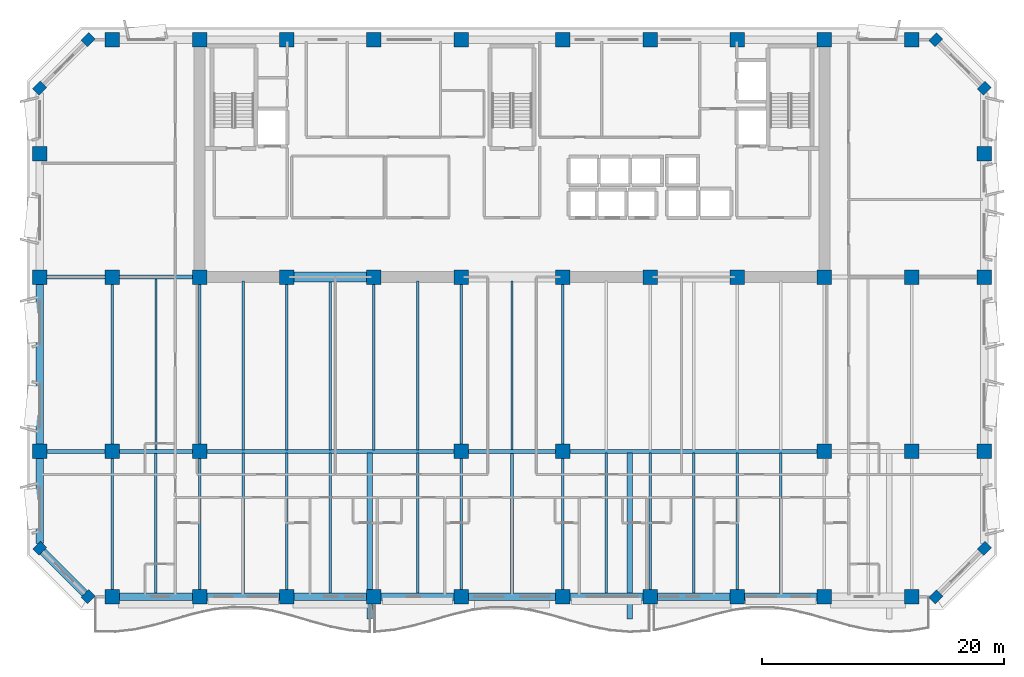
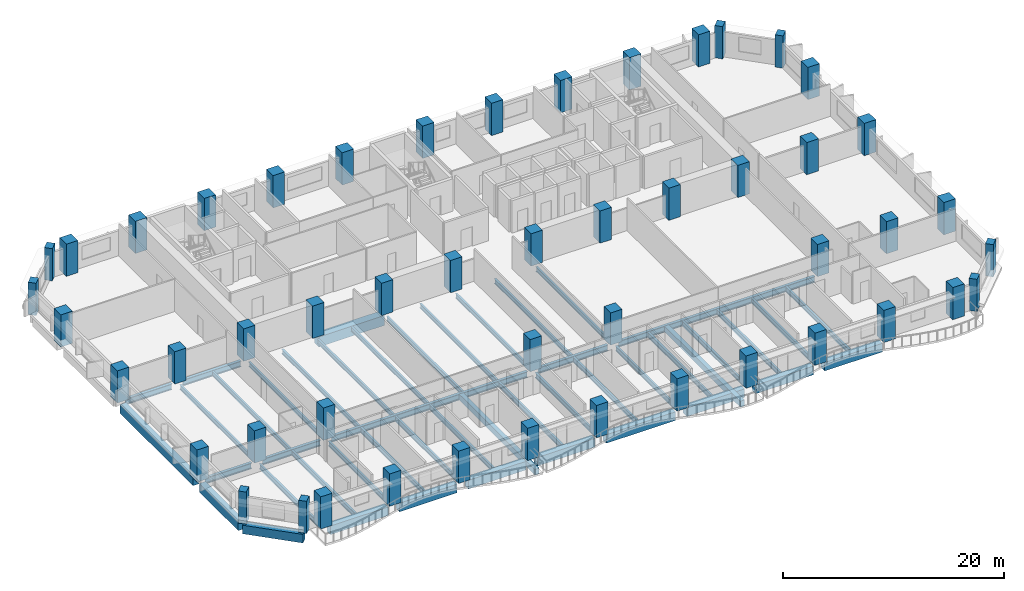
# One storey, part 1 of 15: 50 columns, 47 beams.
"""IFC4 building model written with IfcOpenShell, lengths in metres."""

from ifc_helpers import new_model, si_unit, direction, frame, origin, origin_2d, place, context, subcontext, project, spatial, rectangle, i_section, extrude, material, material_profile, profile_set, type_object, element, save


model = new_model("IFC4")

# Units and contexts
model_context = context("Model", 3, precision=1e-05, world=origin(), true_north=direction((0.0, 1.0)))
body_context = subcontext(model_context, "Body", "Model", "MODEL_VIEW")
ifc_project = project(units=[si_unit("LENGTHUNIT", "METRE"), si_unit("AREAUNIT", "SQUARE_METRE"), si_unit("VOLUMEUNIT", "CUBIC_METRE"), si_unit("PLANEANGLEUNIT", "RADIAN"), si_unit("MASSUNIT", "GRAM", prefix="KILO")], contexts=[model_context])

# Site, building, storey
site_placement = place(None, origin())
site = spatial("IfcSite", under=ifc_project, at=site_placement, CompositionType="ELEMENT")
building_placement = place(site_placement, origin())
building = spatial("IfcBuilding", under=site, at=building_placement, Name="Kaelvorn Grand Hotel", CompositionType="ELEMENT")
storey_placement = place(building_placement, frame((0.0, 0.0, 139.14990234375)))
storey = spatial("IfcBuildingStorey", under=building, at=storey_placement, Name="L33", CompositionType="ELEMENT", Elevation=139.14990234375)

# Columns
ifc_material_1 = material(Name="Concrete C60/75", Category="concrete")
ifc_material_profile_1 = material_profile(ifc_material_1, rectangle(XDim=0.89990234375, YDim=0.75, at=origin_2d()), Name="RC PILASTER 900x750")
ifc_profile_set_1 = profile_set([ifc_material_profile_1], Name="Concrete C60/75")
column_type_1 = type_object("IfcColumnType", Name="COL-PIL-900x750-C60", PredefinedType="PILASTER", material=ifc_profile_set_1)
for number, where, z_axis, x_axis, name in (
    (1, (7.0, 3.0, 0.0), (0.0, 0.0, 1.0), (0.707106781187, 0.707106781187, 0.0), "L33 Structural Column CH-01"),
    (2, (77.0, 3.0, 0.0), (0.0, 0.0, 1.0), (0.707106781187, 0.707106781187, 0.0), "L33 Structural Column CH-02"),
    (3, (81.0, 7.0, 0.0), (0.0, 0.0, 1.0), (0.707106781187, 0.707106781187, 0.0), "L33 Structural Column CH-03"),
    (4, (81.0, 45.0, 0.0), (0.0, 0.0, 1.0), (0.707106781187, 0.707106781187, 0.0), "L33 Structural Column CH-04"),
    (5, (77.0, 49.0, 0.0), (0.0, 0.0, 1.0), (0.707106781187, 0.707106781187, 0.0), "L33 Structural Column CH-05"),
    (6, (7.0, 49.0, 0.0), (0.0, 0.0, 1.0), (0.707106781187, 0.707106781187, 0.0), "L33 Structural Column CH-06"),
    (7, (3.0, 45.0, 0.0), (0.0, 0.0, 1.0), (0.707106781187, 0.707106781187, 0.0), "L33 Structural Column CH-07"),
    (8, (3.0, 7.0, 0.0), (0.0, 0.0, 1.0), (0.707106781187, 0.707106781187, 0.0), "L33 Structural Column CH-08"),
):
    element("IfcColumn", number, at=place(storey_placement, frame(where, z_axis=z_axis, x_axis=x_axis)), inside=storey, type_object=column_type_1, Name=name, PredefinedType="PILASTER", context=body_context, shape_type="SweptSolid", body=[
        extrude(rectangle(XDim=0.89990234375, YDim=0.75, at=origin_2d()), origin(), (0.0, 0.0, 1.0), 3.56005859375),
    ])
ifc_material_profile_2 = material_profile(ifc_material_1, rectangle(XDim=1.199951171875, YDim=1.199951171875, at=origin_2d()), Name="RC COL 1200x1200")
ifc_profile_set_2 = profile_set([ifc_material_profile_2], Name="Concrete C60/75")
column_type_2 = type_object("IfcColumnType", Name="COL-RC-1200-C60", PredefinedType="COLUMN", material=ifc_profile_set_2)
for number, where, z_axis, x_axis, name in (
    (9, (9.0, 3.0, 0.0), (0.0, 0.0, 1.0), (1.0, 0.0, 0.0), "L33 Structural Column S-01"),
    (10, (16.199951171875, 3.0, 0.0), (0.0, 0.0, 1.0), (1.0, 0.0, 0.0), "L33 Structural Column S-02"),
    (11, (23.39990234375, 3.0, 0.0), (0.0, 0.0, 1.0), (1.0, 0.0, 0.0), "L33 Structural Column S-03"),
    (12, (30.60009765625, 3.0, 0.0), (0.0, 0.0, 1.0), (1.0, 0.0, 0.0), "L33 Structural Column S-04"),
    (13, (37.800048828125, 3.0, 0.0), (0.0, 0.0, 1.0), (1.0, 0.0, 0.0), "L33 Structural Column S-05"),
    (14, (46.199951171875, 3.0, 0.0), (0.0, 0.0, 1.0), (1.0, 0.0, 0.0), "L33 Structural Column S-06"),
    (15, (53.39990234375, 3.0, 0.0), (0.0, 0.0, 1.0), (1.0, 0.0, 0.0), "L33 Structural Column S-07"),
    (16, (60.60009765625, 3.0, 0.0), (0.0, 0.0, 1.0), (1.0, 0.0, 0.0), "L33 Structural Column S-08"),
    (17, (67.800048828125, 3.0, 0.0), (0.0, 0.0, 1.0), (1.0, 0.0, 0.0), "L33 Structural Column S-09"),
    (18, (75.0, 3.0, 0.0), (0.0, 0.0, 1.0), (1.0, 0.0, 0.0), "L33 Structural Column S-10"),
    (19, (3.0, 15.0, 0.0), (0.0, 0.0, 1.0), (1.0, 0.0, 0.0), "L33 Structural Column W-01"),
    (20, (81.0, 15.0, 0.0), (0.0, 0.0, 1.0), (1.0, 0.0, 0.0), "L33 Structural Column E-01"),
    (21, (3.0, 29.39990234375, 0.0), (0.0, 0.0, 1.0), (1.0, 0.0, 0.0), "L33 Structural Column W-02"),
    (22, (81.0, 29.39990234375, 0.0), (0.0, 0.0, 1.0), (1.0, 0.0, 0.0), "L33 Structural Column E-02"),
    (23, (3.0, 39.60009765625, 0.0), (0.0, 0.0, 1.0), (1.0, 0.0, 0.0), "L33 Structural Column W-03"),
    (24, (81.0, 39.60009765625, 0.0), (0.0, 0.0, 1.0), (1.0, 0.0, 0.0), "L33 Structural Column E-03"),
    (25, (9.0, 15.0, 0.0), (0.0, 0.0, 1.0), (1.0, 0.0, 0.0), "L33 Structural Column M-01"),
    (26, (16.199951171875, 15.0, 0.0), (0.0, 0.0, 1.0), (1.0, 0.0, 0.0), "L33 Structural Column M-02"),
    (27, (37.800048828125, 15.0, 0.0), (0.0, 0.0, 1.0), (1.0, 0.0, 0.0), "L33 Structural Column M-03"),
    (28, (46.199951171875, 15.0, 0.0), (0.0, 0.0, 1.0), (1.0, 0.0, 0.0), "L33 Structural Column M-04"),
    (29, (67.800048828125, 15.0, 0.0), (0.0, 0.0, 1.0), (1.0, 0.0, 0.0), "L33 Structural Column M-05"),
    (30, (75.0, 15.0, 0.0), (0.0, 0.0, 1.0), (1.0, 0.0, 0.0), "L33 Structural Column M-06"),
    (31, (9.0, 29.39990234375, 0.0), (0.0, 0.0, 1.0), (1.0, 0.0, 0.0), "L33 Structural Column CR1-01"),
    (32, (9.0, 49.0, 0.0), (0.0, 0.0, 1.0), (1.0, 0.0, 0.0), "L33 Structural Column CR2-01"),
    (33, (16.199951171875, 29.39990234375, 0.0), (0.0, 0.0, 1.0), (1.0, 0.0, 0.0), "L33 Structural Column CR1-02"),
    (34, (16.199951171875, 49.0, 0.0), (0.0, 0.0, 1.0), (1.0, 0.0, 0.0), "L33 Structural Column CR2-02"),
    (35, (23.39990234375, 29.39990234375, 0.0), (0.0, 0.0, 1.0), (1.0, 0.0, 0.0), "L33 Structural Column CR1-03"),
    (36, (23.39990234375, 49.0, 0.0), (0.0, 0.0, 1.0), (1.0, 0.0, 0.0), "L33 Structural Column CR2-03"),
    (37, (30.60009765625, 29.39990234375, 0.0), (0.0, 0.0, 1.0), (1.0, 0.0, 0.0), "L33 Structural Column CR1-04"),
    (38, (30.60009765625, 49.0, 0.0), (0.0, 0.0, 1.0), (1.0, 0.0, 0.0), "L33 Structural Column CR2-04"),
    (39, (37.800048828125, 29.39990234375, 0.0), (0.0, 0.0, 1.0), (1.0, 0.0, 0.0), "L33 Structural Column CR1-05"),
    (40, (37.800048828125, 49.0, 0.0), (0.0, 0.0, 1.0), (1.0, 0.0, 0.0), "L33 Structural Column CR2-05"),
    (41, (46.199951171875, 29.39990234375, 0.0), (0.0, 0.0, 1.0), (1.0, 0.0, 0.0), "L33 Structural Column CR1-06"),
    (42, (46.199951171875, 49.0, 0.0), (0.0, 0.0, 1.0), (1.0, 0.0, 0.0), "L33 Structural Column CR2-06"),
    (43, (53.39990234375, 29.39990234375, 0.0), (0.0, 0.0, 1.0), (1.0, 0.0, 0.0), "L33 Structural Column CR1-07"),
    (44, (53.39990234375, 49.0, 0.0), (0.0, 0.0, 1.0), (1.0, 0.0, 0.0), "L33 Structural Column CR2-07"),
    (45, (60.60009765625, 29.39990234375, 0.0), (0.0, 0.0, 1.0), (1.0, 0.0, 0.0), "L33 Structural Column CR1-08"),
    (46, (60.60009765625, 49.0, 0.0), (0.0, 0.0, 1.0), (1.0, 0.0, 0.0), "L33 Structural Column CR2-08"),
    (47, (67.800048828125, 29.39990234375, 0.0), (0.0, 0.0, 1.0), (1.0, 0.0, 0.0), "L33 Structural Column CR1-09"),
    (48, (67.800048828125, 49.0, 0.0), (0.0, 0.0, 1.0), (1.0, 0.0, 0.0), "L33 Structural Column CR2-09"),
    (49, (75.0, 29.39990234375, 0.0), (0.0, 0.0, 1.0), (1.0, 0.0, 0.0), "L33 Structural Column CR1-10"),
    (50, (75.0, 49.0, 0.0), (0.0, 0.0, 1.0), (1.0, 0.0, 0.0), "L33 Structural Column CR2-10"),
):
    element("IfcColumn", number, at=place(storey_placement, frame(where, z_axis=z_axis, x_axis=x_axis)), inside=storey, type_object=column_type_2, Name=name, PredefinedType="COLUMN", context=body_context, shape_type="SweptSolid", body=[
        extrude(rectangle(XDim=1.199951171875, YDim=1.199951171875, at=origin_2d()), origin(), (0.0, 0.0, 1.0), 3.56005859375),
    ])

# Beams
ifc_material_2 = material(Name="Steel S355", Category="steel")
ifc_material_profile_3 = material_profile(ifc_material_2, i_section(OverallWidth=0.300048828125, OverallDepth=0.64990234375, WebThickness=0.01611328125, FlangeThickness=0.031005859375, FilletRadius=0.027099609375, at=origin_2d()), Name="HEB 650")
ifc_profile_set_3 = profile_set([ifc_material_profile_3], Name="Steel S355")
beam_type_1 = type_object("IfcBeamType", Name="BM-G-HEB650-S355", PredefinedType="BEAM", material=ifc_profile_set_3)
beam_1_placement = place(storey_placement, frame((3.5849609375, 15.0, -0.56494140625), z_axis=(1.0, 0.0, 0.0), x_axis=(0.0, 1.0, 0.0)))
element("IfcBeam", 51, at=beam_1_placement, inside=storey, type_object=beam_type_1, Name="L33 Primary Spine Steel Girder G-15 01", PredefinedType="BEAM", context=body_context, shape_type="SweptSolid", body=[
    extrude(i_section(OverallWidth=0.300048828125, OverallDepth=0.64990234375, WebThickness=0.01611328125, FlangeThickness=0.031005859375, FilletRadius=0.027099609375, at=origin_2d()), origin(), (0.0, 0.0, 1.0), 4.830078125),
])
beam_2_placement = place(storey_placement, frame((9.5849609375, 15.0, -0.56494140625), z_axis=(1.0, 0.0, 0.0), x_axis=(0.0, 1.0, 0.0)))
element("IfcBeam", 52, at=beam_2_placement, inside=storey, type_object=beam_type_1, Name="L33 Primary Spine Steel Girder G-15 02", PredefinedType="BEAM", context=body_context, shape_type="SweptSolid", body=[
    extrude(i_section(OverallWidth=0.300048828125, OverallDepth=0.64990234375, WebThickness=0.01611328125, FlangeThickness=0.031005859375, FilletRadius=0.027099609375, at=origin_2d()), origin(), (0.0, 0.0, 1.0), 6.030029296875),
])
beam_3_placement = place(storey_placement, frame((16.784912109375, 15.0, -0.56494140625), z_axis=(1.0, 0.0, 0.0), x_axis=(0.0, 1.0, 0.0)))
element("IfcBeam", 53, at=beam_3_placement, inside=storey, type_object=beam_type_1, Name="L33 Primary Spine Steel Girder G-15 03", PredefinedType="BEAM", context=body_context, shape_type="SweptSolid", body=[
    extrude(i_section(OverallWidth=0.300048828125, OverallDepth=0.64990234375, WebThickness=0.01611328125, FlangeThickness=0.031005859375, FilletRadius=0.027099609375, at=origin_2d()), origin(), (0.0, 0.0, 1.0), 20.43017578125),
])
beam_4_placement = place(storey_placement, frame((38.385009765625, 15.0, -0.56494140625), z_axis=(1.0, 0.0, 0.0), x_axis=(0.0, 1.0, 0.0)))
element("IfcBeam", 54, at=beam_4_placement, inside=storey, type_object=beam_type_1, Name="L33 Primary Spine Steel Girder G-15 04", PredefinedType="BEAM", context=body_context, shape_type="SweptSolid", body=[
    extrude(i_section(OverallWidth=0.300048828125, OverallDepth=0.64990234375, WebThickness=0.01611328125, FlangeThickness=0.031005859375, FilletRadius=0.027099609375, at=origin_2d()), origin(), (0.0, 0.0, 1.0), 7.22998046875),
])
beam_5_placement = place(storey_placement, frame((46.784912109375, 15.0, -0.56494140625), z_axis=(1.0, 0.0, 0.0), x_axis=(0.0, 1.0, 0.0)))
element("IfcBeam", 55, at=beam_5_placement, inside=storey, type_object=beam_type_1, Name="L33 Primary Spine Steel Girder G-15 05", PredefinedType="BEAM", context=body_context, shape_type="SweptSolid", body=[
    extrude(i_section(OverallWidth=0.300048828125, OverallDepth=0.64990234375, WebThickness=0.01611328125, FlangeThickness=0.031005859375, FilletRadius=0.027099609375, at=origin_2d()), origin(), (0.0, 0.0, 1.0), 20.43017578125),
])
beam_6_placement = place(storey_placement, frame((3.5849609375, 29.39990234375, -0.56494140625), z_axis=(1.0, 0.0, 0.0), x_axis=(0.0, 1.0, 0.0)))
element("IfcBeam", 56, at=beam_6_placement, inside=storey, type_object=beam_type_1, Name="L33 West Core Wing Steel Girder G-29W 01", PredefinedType="BEAM", context=body_context, shape_type="SweptSolid", body=[
    extrude(i_section(OverallWidth=0.300048828125, OverallDepth=0.64990234375, WebThickness=0.01611328125, FlangeThickness=0.031005859375, FilletRadius=0.027099609375, at=origin_2d()), origin(), (0.0, 0.0, 1.0), 4.830078125),
])
beam_7_placement = place(storey_placement, frame((9.5849609375, 29.39990234375, -0.56494140625), z_axis=(1.0, 0.0, 0.0), x_axis=(0.0, 1.0, 0.0)))
element("IfcBeam", 57, at=beam_7_placement, inside=storey, type_object=beam_type_1, Name="L33 West Core Wing Steel Girder G-29W 02", PredefinedType="BEAM", context=body_context, shape_type="SweptSolid", body=[
    extrude(i_section(OverallWidth=0.300048828125, OverallDepth=0.64990234375, WebThickness=0.01611328125, FlangeThickness=0.031005859375, FilletRadius=0.027099609375, at=origin_2d()), origin(), (0.0, 0.0, 1.0), 6.030029296875),
])
ifc_material_profile_4 = material_profile(ifc_material_2, i_section(OverallWidth=0.199951171875, OverallDepth=0.5, WebThickness=0.01025390625, FlangeThickness=0.01611328125, FilletRadius=0.02099609375, at=origin_2d()), Name="IPE 500")
ifc_profile_set_4 = profile_set([ifc_material_profile_4], Name="Steel S355")
beam_type_2 = type_object("IfcBeamType", Name="BM-J-IPE500-S355", PredefinedType="JOIST", material=ifc_profile_set_4)
beam_8_placement = place(storey_placement, frame((9.0, 15.5849609375, -0.489990234375), z_axis=(0.0, 1.0, 0.0), x_axis=(-1.0, 0.0, 0.0)))
element("IfcBeam", 58, at=beam_8_placement, inside=storey, type_object=beam_type_2, Name="L33 Composite Floor Joist JM-03", PredefinedType="JOIST", context=body_context, shape_type="SweptSolid", body=[
    extrude(i_section(OverallWidth=0.199951171875, OverallDepth=0.5, WebThickness=0.01025390625, FlangeThickness=0.01611328125, FilletRadius=0.02099609375, at=origin_2d()), origin(), (0.0, 0.0, 1.0), 13.22998046875),
])
beam_9_placement = place(storey_placement, frame((12.60009765625, 15.135009765625, -0.489990234375), z_axis=(0.0, 1.0, 0.0), x_axis=(-1.0, 0.0, 0.0)))
element("IfcBeam", 59, at=beam_9_placement, inside=storey, type_object=beam_type_2, Name="L33 Composite Floor Joist JM-04", PredefinedType="JOIST", context=body_context, shape_type="SweptSolid", body=[
    extrude(i_section(OverallWidth=0.199951171875, OverallDepth=0.5, WebThickness=0.01025390625, FlangeThickness=0.01611328125, FilletRadius=0.02099609375, at=origin_2d()), origin(), (0.0, 0.0, 1.0), 14.1298828125),
])
beam_10_placement = place(storey_placement, frame((16.199951171875, 15.5849609375, -0.489990234375), z_axis=(0.0, 1.0, 0.0), x_axis=(-1.0, 0.0, 0.0)))
element("IfcBeam", 60, at=beam_10_placement, inside=storey, type_object=beam_type_2, Name="L33 Composite Floor Joist JM-05", PredefinedType="JOIST", context=body_context, shape_type="SweptSolid", body=[
    extrude(i_section(OverallWidth=0.199951171875, OverallDepth=0.5, WebThickness=0.01025390625, FlangeThickness=0.01611328125, FilletRadius=0.02099609375, at=origin_2d()), origin(), (0.0, 0.0, 1.0), 13.22998046875),
])
beam_11_placement = place(storey_placement, frame((19.800048828125, 15.135009765625, -0.489990234375), z_axis=(0.0, 1.0, 0.0), x_axis=(-1.0, 0.0, 0.0)))
element("IfcBeam", 61, at=beam_11_placement, inside=storey, type_object=beam_type_2, Name="L33 Composite Floor Joist JM-06", PredefinedType="JOIST", context=body_context, shape_type="SweptSolid", body=[
    extrude(i_section(OverallWidth=0.199951171875, OverallDepth=0.5, WebThickness=0.01025390625, FlangeThickness=0.01611328125, FilletRadius=0.02099609375, at=origin_2d()), origin(), (0.0, 0.0, 1.0), 13.925048828125),
])
beam_12_placement = place(storey_placement, frame((23.39990234375, 15.135009765625, -0.489990234375), z_axis=(0.0, 1.0, 0.0), x_axis=(-1.0, 0.0, 0.0)))
element("IfcBeam", 62, at=beam_12_placement, inside=storey, type_object=beam_type_2, Name="L33 Composite Floor Joist JM-07", PredefinedType="JOIST", context=body_context, shape_type="SweptSolid", body=[
    extrude(i_section(OverallWidth=0.199951171875, OverallDepth=0.5, WebThickness=0.01025390625, FlangeThickness=0.01611328125, FilletRadius=0.02099609375, at=origin_2d()), origin(), (0.0, 0.0, 1.0), 13.679931640625),
])
beam_13_placement = place(storey_placement, frame((27.0, 15.135009765625, -0.489990234375), z_axis=(0.0, 1.0, 0.0), x_axis=(-1.0, 0.0, 0.0)))
element("IfcBeam", 63, at=beam_13_placement, inside=storey, type_object=beam_type_2, Name="L33 Composite Floor Joist JM-08", PredefinedType="JOIST", context=body_context, shape_type="SweptSolid", body=[
    extrude(i_section(OverallWidth=0.199951171875, OverallDepth=0.5, WebThickness=0.01025390625, FlangeThickness=0.01611328125, FilletRadius=0.02099609375, at=origin_2d()), origin(), (0.0, 0.0, 1.0), 13.925048828125),
])
beam_14_placement = place(storey_placement, frame((30.60009765625, 15.135009765625, -0.489990234375), z_axis=(0.0, 1.0, 0.0), x_axis=(-1.0, 0.0, 0.0)))
element("IfcBeam", 64, at=beam_14_placement, inside=storey, type_object=beam_type_2, Name="L33 Composite Floor Joist JM-09", PredefinedType="JOIST", context=body_context, shape_type="SweptSolid", body=[
    extrude(i_section(OverallWidth=0.199951171875, OverallDepth=0.5, WebThickness=0.01025390625, FlangeThickness=0.01611328125, FilletRadius=0.02099609375, at=origin_2d()), origin(), (0.0, 0.0, 1.0), 13.679931640625),
])
beam_15_placement = place(storey_placement, frame((34.199951171875, 15.135009765625, -0.489990234375), z_axis=(0.0, 1.0, 0.0), x_axis=(-1.0, 0.0, 0.0)))
element("IfcBeam", 65, at=beam_15_placement, inside=storey, type_object=beam_type_2, Name="L33 Composite Floor Joist JM-10", PredefinedType="JOIST", context=body_context, shape_type="SweptSolid", body=[
    extrude(i_section(OverallWidth=0.199951171875, OverallDepth=0.5, WebThickness=0.01025390625, FlangeThickness=0.01611328125, FilletRadius=0.02099609375, at=origin_2d()), origin(), (0.0, 0.0, 1.0), 13.925048828125),
])
beam_16_placement = place(storey_placement, frame((37.800048828125, 15.5849609375, -0.489990234375), z_axis=(0.0, 1.0, 0.0), x_axis=(-1.0, 0.0, 0.0)))
element("IfcBeam", 66, at=beam_16_placement, inside=storey, type_object=beam_type_2, Name="L33 Composite Floor Joist JM-11", PredefinedType="JOIST", context=body_context, shape_type="SweptSolid", body=[
    extrude(i_section(OverallWidth=0.199951171875, OverallDepth=0.5, WebThickness=0.01025390625, FlangeThickness=0.01611328125, FilletRadius=0.02099609375, at=origin_2d()), origin(), (0.0, 0.0, 1.0), 13.22998046875),
])
beam_17_placement = place(storey_placement, frame((42.0, 15.135009765625, -0.489990234375), z_axis=(0.0, 1.0, 0.0), x_axis=(-1.0, 0.0, 0.0)))
element("IfcBeam", 67, at=beam_17_placement, inside=storey, type_object=beam_type_2, Name="L33 Composite Floor Joist JM-12", PredefinedType="JOIST", context=body_context, shape_type="SweptSolid", body=[
    extrude(i_section(OverallWidth=0.199951171875, OverallDepth=0.5, WebThickness=0.01025390625, FlangeThickness=0.01611328125, FilletRadius=0.02099609375, at=origin_2d()), origin(), (0.0, 0.0, 1.0), 13.925048828125),
])
beam_18_placement = place(storey_placement, frame((46.199951171875, 15.5849609375, -0.489990234375), z_axis=(0.0, 1.0, 0.0), x_axis=(-1.0, 0.0, 0.0)))
element("IfcBeam", 68, at=beam_18_placement, inside=storey, type_object=beam_type_2, Name="L33 Composite Floor Joist JM-13", PredefinedType="JOIST", context=body_context, shape_type="SweptSolid", body=[
    extrude(i_section(OverallWidth=0.199951171875, OverallDepth=0.5, WebThickness=0.01025390625, FlangeThickness=0.01611328125, FilletRadius=0.02099609375, at=origin_2d()), origin(), (0.0, 0.0, 1.0), 13.22998046875),
])
ifc_material_profile_5 = material_profile(ifc_material_2, i_section(OverallWidth=0.2099609375, OverallDepth=0.550048828125, WebThickness=0.010986328125, FlangeThickness=0.01708984375, FilletRadius=0.02392578125, at=origin_2d()), Name="IPE 550")
ifc_profile_set_5 = profile_set([ifc_material_profile_5], Name="Steel S355")
beam_type_3 = type_object("IfcBeamType", Name="BM-J-IPE550-S355", PredefinedType="JOIST", material=ifc_profile_set_5)
beam_19_placement = place(storey_placement, frame((9.0, 3.5849609375, -0.514892578125), z_axis=(0.0, 1.0, 0.0), x_axis=(-1.0, 0.0, 0.0)))
element("IfcBeam", 69, at=beam_19_placement, inside=storey, type_object=beam_type_3, Name="L33 Composite Floor Joist JS-03", PredefinedType="JOIST", context=body_context, shape_type="SweptSolid", body=[
    extrude(i_section(OverallWidth=0.2099609375, OverallDepth=0.550048828125, WebThickness=0.010986328125, FlangeThickness=0.01708984375, FilletRadius=0.02392578125, at=origin_2d()), origin(), (0.0, 0.0, 1.0), 10.830078125),
])
beam_20_placement = place(storey_placement, frame((12.60009765625, 3.31005859375, -0.514892578125), z_axis=(0.0, 1.0, 0.0), x_axis=(-1.0, 0.0, 0.0)))
element("IfcBeam", 70, at=beam_20_placement, inside=storey, type_object=beam_type_3, Name="L33 Composite Floor Joist JS-04", PredefinedType="JOIST", context=body_context, shape_type="SweptSolid", body=[
    extrude(i_section(OverallWidth=0.2099609375, OverallDepth=0.550048828125, WebThickness=0.010986328125, FlangeThickness=0.01708984375, FilletRadius=0.02392578125, at=origin_2d()), origin(), (0.0, 0.0, 1.0), 11.554931640625),
])
beam_21_placement = place(storey_placement, frame((16.199951171875, 3.5849609375, -0.514892578125), z_axis=(0.0, 1.0, 0.0), x_axis=(-1.0, 0.0, 0.0)))
element("IfcBeam", 71, at=beam_21_placement, inside=storey, type_object=beam_type_3, Name="L33 Composite Floor Joist JS-05", PredefinedType="JOIST", context=body_context, shape_type="SweptSolid", body=[
    extrude(i_section(OverallWidth=0.2099609375, OverallDepth=0.550048828125, WebThickness=0.010986328125, FlangeThickness=0.01708984375, FilletRadius=0.02392578125, at=origin_2d()), origin(), (0.0, 0.0, 1.0), 10.830078125),
])
beam_22_placement = place(storey_placement, frame((19.800048828125, 3.31005859375, -0.514892578125), z_axis=(0.0, 1.0, 0.0), x_axis=(-1.0, 0.0, 0.0)))
element("IfcBeam", 72, at=beam_22_placement, inside=storey, type_object=beam_type_3, Name="L33 Composite Floor Joist JS-06", PredefinedType="JOIST", context=body_context, shape_type="SweptSolid", body=[
    extrude(i_section(OverallWidth=0.2099609375, OverallDepth=0.550048828125, WebThickness=0.010986328125, FlangeThickness=0.01708984375, FilletRadius=0.02392578125, at=origin_2d()), origin(), (0.0, 0.0, 1.0), 11.554931640625),
])
beam_23_placement = place(storey_placement, frame((23.39990234375, 3.5849609375, -0.514892578125), z_axis=(0.0, 1.0, 0.0), x_axis=(-1.0, 0.0, 0.0)))
element("IfcBeam", 73, at=beam_23_placement, inside=storey, type_object=beam_type_3, Name="L33 Composite Floor Joist JS-07", PredefinedType="JOIST", context=body_context, shape_type="SweptSolid", body=[
    extrude(i_section(OverallWidth=0.2099609375, OverallDepth=0.550048828125, WebThickness=0.010986328125, FlangeThickness=0.01708984375, FilletRadius=0.02392578125, at=origin_2d()), origin(), (0.0, 0.0, 1.0), 11.280029296875),
])
for number, where, z_axis, x_axis, name in (
    (74, (27.0, 3.31005859375, -0.514892578125), (0.0, 1.0, 0.0), (-1.0, 0.0, 0.0), "L33 Composite Floor Joist JS-08"),
    (75, (34.199951171875, 3.31005859375, -0.514892578125), (0.0, 1.0, 0.0), (-1.0, 0.0, 0.0), "L33 Composite Floor Joist JS-10"),
):
    element("IfcBeam", number, at=place(storey_placement, frame(where, z_axis=z_axis, x_axis=x_axis)), inside=storey, type_object=beam_type_3, Name=name, PredefinedType="JOIST", context=body_context, shape_type="SweptSolid", body=[
        extrude(i_section(OverallWidth=0.2099609375, OverallDepth=0.550048828125, WebThickness=0.010986328125, FlangeThickness=0.01708984375, FilletRadius=0.02392578125, at=origin_2d()), origin(), (0.0, 0.0, 1.0), 11.554931640625),
    ])
beam_24_placement = place(storey_placement, frame((37.800048828125, 3.5849609375, -0.514892578125), z_axis=(0.0, 1.0, 0.0), x_axis=(-1.0, 0.0, 0.0)))
element("IfcBeam", 76, at=beam_24_placement, inside=storey, type_object=beam_type_3, Name="L33 Composite Floor Joist JS-11", PredefinedType="JOIST", context=body_context, shape_type="SweptSolid", body=[
    extrude(i_section(OverallWidth=0.2099609375, OverallDepth=0.550048828125, WebThickness=0.010986328125, FlangeThickness=0.01708984375, FilletRadius=0.02392578125, at=origin_2d()), origin(), (0.0, 0.0, 1.0), 10.830078125),
])
beam_25_placement = place(storey_placement, frame((42.0, 3.31005859375, -0.514892578125), z_axis=(0.0, 1.0, 0.0), x_axis=(-1.0, 0.0, 0.0)))
element("IfcBeam", 77, at=beam_25_placement, inside=storey, type_object=beam_type_3, Name="L33 Composite Floor Joist JS-12", PredefinedType="JOIST", context=body_context, shape_type="SweptSolid", body=[
    extrude(i_section(OverallWidth=0.2099609375, OverallDepth=0.550048828125, WebThickness=0.010986328125, FlangeThickness=0.01708984375, FilletRadius=0.02392578125, at=origin_2d()), origin(), (0.0, 0.0, 1.0), 11.554931640625),
])
beam_26_placement = place(storey_placement, frame((46.199951171875, 3.5849609375, -0.514892578125), z_axis=(0.0, 1.0, 0.0), x_axis=(-1.0, 0.0, 0.0)))
element("IfcBeam", 78, at=beam_26_placement, inside=storey, type_object=beam_type_3, Name="L33 Composite Floor Joist JS-13", PredefinedType="JOIST", context=body_context, shape_type="SweptSolid", body=[
    extrude(i_section(OverallWidth=0.2099609375, OverallDepth=0.550048828125, WebThickness=0.010986328125, FlangeThickness=0.01708984375, FilletRadius=0.02392578125, at=origin_2d()), origin(), (0.0, 0.0, 1.0), 10.830078125),
])
beam_27_placement = place(storey_placement, frame((49.800048828125, 3.31005859375, -0.514892578125), z_axis=(0.0, 1.0, 0.0), x_axis=(-1.0, 0.0, 0.0)))
element("IfcBeam", 79, at=beam_27_placement, inside=storey, type_object=beam_type_3, Name="L33 Composite Floor Joist JS-14", PredefinedType="JOIST", context=body_context, shape_type="SweptSolid", body=[
    extrude(i_section(OverallWidth=0.2099609375, OverallDepth=0.550048828125, WebThickness=0.010986328125, FlangeThickness=0.01708984375, FilletRadius=0.02392578125, at=origin_2d()), origin(), (0.0, 0.0, 1.0), 11.554931640625),
])
beam_28_placement = place(storey_placement, frame((53.39990234375, 3.5849609375, -0.514892578125), z_axis=(0.0, 1.0, 0.0), x_axis=(-1.0, 0.0, 0.0)))
element("IfcBeam", 80, at=beam_28_placement, inside=storey, type_object=beam_type_3, Name="L33 Composite Floor Joist JS-15", PredefinedType="JOIST", context=body_context, shape_type="SweptSolid", body=[
    extrude(i_section(OverallWidth=0.2099609375, OverallDepth=0.550048828125, WebThickness=0.010986328125, FlangeThickness=0.01708984375, FilletRadius=0.02392578125, at=origin_2d()), origin(), (0.0, 0.0, 1.0), 11.280029296875),
])
beam_29_placement = place(storey_placement, frame((57.0, 3.31005859375, -0.514892578125), z_axis=(0.0, 1.0, 0.0), x_axis=(-1.0, 0.0, 0.0)))
element("IfcBeam", 81, at=beam_29_placement, inside=storey, type_object=beam_type_3, Name="L33 Composite Floor Joist JS-16", PredefinedType="JOIST", context=body_context, shape_type="SweptSolid", body=[
    extrude(i_section(OverallWidth=0.2099609375, OverallDepth=0.550048828125, WebThickness=0.010986328125, FlangeThickness=0.01708984375, FilletRadius=0.02392578125, at=origin_2d()), origin(), (0.0, 0.0, 1.0), 11.554931640625),
])
beam_30_placement = place(storey_placement, frame((60.60009765625, 3.5849609375, -0.514892578125), z_axis=(0.0, 1.0, 0.0), x_axis=(-1.0, 0.0, 0.0)))
element("IfcBeam", 82, at=beam_30_placement, inside=storey, type_object=beam_type_3, Name="L33 Composite Floor Joist JS-17", PredefinedType="JOIST", context=body_context, shape_type="SweptSolid", body=[
    extrude(i_section(OverallWidth=0.2099609375, OverallDepth=0.550048828125, WebThickness=0.010986328125, FlangeThickness=0.01708984375, FilletRadius=0.02392578125, at=origin_2d()), origin(), (0.0, 0.0, 1.0), 11.280029296875),
])
beam_31_placement = place(storey_placement, frame((64.199951171875, 3.31005859375, -0.514892578125), z_axis=(0.0, 1.0, 0.0), x_axis=(-1.0, 0.0, 0.0)))
element("IfcBeam", 83, at=beam_31_placement, inside=storey, type_object=beam_type_3, Name="L33 Composite Floor Joist JS-18", PredefinedType="JOIST", context=body_context, shape_type="SweptSolid", body=[
    extrude(i_section(OverallWidth=0.2099609375, OverallDepth=0.550048828125, WebThickness=0.010986328125, FlangeThickness=0.01708984375, FilletRadius=0.02392578125, at=origin_2d()), origin(), (0.0, 0.0, 1.0), 11.554931640625),
])
ifc_material_profile_6 = material_profile(ifc_material_1, rectangle(XDim=0.800048828125, YDim=1.10009765625, at=origin_2d()), Name="RC LINTEL 800x1100")
ifc_profile_set_6 = profile_set([ifc_material_profile_6], Name="Concrete C60/75")
beam_type_4 = type_object("IfcBeamType", Name="BM-LIN-800x1100-C60", PredefinedType="LINTEL", material=ifc_profile_set_6)
beam_32_placement = place(storey_placement, frame((23.580078125, 29.39990234375, -0.789794921875), z_axis=(1.0, 0.0, 0.0), x_axis=(0.0, 1.0, 0.0)))
element("IfcBeam", 84, at=beam_32_placement, inside=storey, type_object=beam_type_4, Name="L33 Rear-Core Coupling Lintel Beam CB1-01", PredefinedType="LINTEL", context=body_context, shape_type="SweptSolid", body=[
    extrude(rectangle(XDim=0.800048828125, YDim=1.10009765625, at=origin_2d()), origin(), (0.0, 0.0, 1.0), 6.83984375),
])
ifc_material_3 = material(Name="Concrete C40/50", Category="concrete")
ifc_material_profile_7 = material_profile(ifc_material_3, rectangle(XDim=0.449951171875, YDim=0.64990234375, at=origin_2d()), Name="RC RIB 450x650")
ifc_profile_set_7 = profile_set([ifc_material_profile_7], Name="Concrete C40/50")
beam_type_5 = type_object("IfcBeamType", Name="BM-RIB-450x650-C40", PredefinedType="SPANDREL", material=ifc_profile_set_7)
for number, where, z_axis, x_axis, name in (
    (85, (30.2666015625, 1.14990234375, -0.544921875), (0.0, 1.0, 0.0), (-1.0, 0.0, 0.0), "L33 Cantilevered Balcony Back-Span Rib RB1-1"),
    (86, (51.71435546875, 1.14990234375, -0.544921875), (0.0, 1.0, 0.0), (-1.0, 0.0, 0.0), "L33 Cantilevered Balcony Back-Span Rib RB1-2"),
):
    element("IfcBeam", number, at=place(storey_placement, frame(where, z_axis=z_axis, x_axis=x_axis)), inside=storey, type_object=beam_type_5, Name=name, PredefinedType="SPANDREL", context=body_context, shape_type="SweptSolid", body=[
        extrude(rectangle(XDim=0.449951171875, YDim=0.64990234375, at=origin_2d()), origin(), (0.0, 0.0, 1.0), 13.715087890625),
    ])
ifc_material_profile_8 = material_profile(ifc_material_1, rectangle(XDim=0.64990234375, YDim=0.949951171875, at=origin_2d()), Name="RC SPANDREL 650x950")
ifc_profile_set_8 = profile_set([ifc_material_profile_8], Name="Concrete C60/75")
beam_type_6 = type_object("IfcBeamType", Name="BM-SP-650x950-C60", PredefinedType="SPANDREL", material=ifc_profile_set_8)
for number, where, z_axis, x_axis, name in (
    (87, (9.5849609375, 3.0, -0.71484375), (1.0, 0.0, 0.0), (0.0, 1.0, 0.0), "L33 South Perimeter Spandrel 02"),
    (88, (16.784912109375, 3.0, -0.71484375), (1.0, 0.0, 0.0), (0.0, 1.0, 0.0), "L33 South Perimeter Spandrel 03"),
):
    element("IfcBeam", number, at=place(storey_placement, frame(where, z_axis=z_axis, x_axis=x_axis)), inside=storey, type_object=beam_type_6, Name=name, PredefinedType="SPANDREL", context=body_context, shape_type="SweptSolid", body=[
        extrude(rectangle(XDim=0.64990234375, YDim=0.949951171875, at=origin_2d()), origin(), (0.0, 0.0, 1.0), 6.030029296875),
    ])
beam_33_placement = place(storey_placement, frame((23.985107421875, 3.0, -0.71484375), z_axis=(1.0, 0.0, 0.0), x_axis=(0.0, 1.0, 0.0)))
element("IfcBeam", 89, at=beam_33_placement, inside=storey, type_object=beam_type_6, Name="L33 South Perimeter Spandrel 04", PredefinedType="SPANDREL", context=body_context, shape_type="SweptSolid", body=[
    extrude(rectangle(XDim=0.64990234375, YDim=0.949951171875, at=origin_2d()), origin(), (0.0, 0.0, 1.0), 6.02978515625),
])
beam_34_placement = place(storey_placement, frame((31.18505859375, 3.0, -0.71484375), z_axis=(1.0, 0.0, 0.0), x_axis=(0.0, 1.0, 0.0)))
element("IfcBeam", 90, at=beam_34_placement, inside=storey, type_object=beam_type_6, Name="L33 South Perimeter Spandrel 05", PredefinedType="SPANDREL", context=body_context, shape_type="SweptSolid", body=[
    extrude(rectangle(XDim=0.64990234375, YDim=0.949951171875, at=origin_2d()), origin(), (0.0, 0.0, 1.0), 6.030029296875),
])
beam_35_placement = place(storey_placement, frame((38.385009765625, 3.0, -0.71484375), z_axis=(1.0, 0.0, 0.0), x_axis=(0.0, 1.0, 0.0)))
element("IfcBeam", 91, at=beam_35_placement, inside=storey, type_object=beam_type_6, Name="L33 South Perimeter Spandrel 06", PredefinedType="SPANDREL", context=body_context, shape_type="SweptSolid", body=[
    extrude(rectangle(XDim=0.64990234375, YDim=0.949951171875, at=origin_2d()), origin(), (0.0, 0.0, 1.0), 7.22998046875),
])
beam_36_placement = place(storey_placement, frame((46.784912109375, 3.0, -0.71484375), z_axis=(1.0, 0.0, 0.0), x_axis=(0.0, 1.0, 0.0)))
element("IfcBeam", 92, at=beam_36_placement, inside=storey, type_object=beam_type_6, Name="L33 South Perimeter Spandrel 07", PredefinedType="SPANDREL", context=body_context, shape_type="SweptSolid", body=[
    extrude(rectangle(XDim=0.64990234375, YDim=0.949951171875, at=origin_2d()), origin(), (0.0, 0.0, 1.0), 6.030029296875),
])
beam_37_placement = place(storey_placement, frame((53.985107421875, 3.0, -0.71484375), z_axis=(1.0, 0.0, 0.0), x_axis=(0.0, 1.0, 0.0)))
element("IfcBeam", 93, at=beam_37_placement, inside=storey, type_object=beam_type_6, Name="L33 South Perimeter Spandrel 08", PredefinedType="SPANDREL", context=body_context, shape_type="SweptSolid", body=[
    extrude(rectangle(XDim=0.64990234375, YDim=0.949951171875, at=origin_2d()), origin(), (0.0, 0.0, 1.0), 6.02978515625),
])
beam_38_placement = place(storey_placement, frame((61.18505859375, 3.0, -0.71484375), z_axis=(1.0, 0.0, 0.0), x_axis=(0.0, 1.0, 0.0)))
element("IfcBeam", 94, at=beam_38_placement, inside=storey, type_object=beam_type_6, Name="L33 South Perimeter Spandrel 09", PredefinedType="SPANDREL", context=body_context, shape_type="SweptSolid", body=[
    extrude(rectangle(XDim=0.64990234375, YDim=0.949951171875, at=origin_2d()), origin(), (0.0, 0.0, 1.0), 6.030029296875),
])
beam_39_placement = place(storey_placement, frame((3.0, 7.405029296875, -0.71484375), z_axis=(0.0, 1.0, 0.0), x_axis=(-1.0, 0.0, 0.0)))
element("IfcBeam", 95, at=beam_39_placement, inside=storey, type_object=beam_type_6, Name="L33 West Perimeter Spandrel 01", PredefinedType="SPANDREL", context=body_context, shape_type="SweptSolid", body=[
    extrude(rectangle(XDim=0.64990234375, YDim=0.949951171875, at=origin_2d()), origin(), (0.0, 0.0, 1.0), 7.010009765625),
])
beam_40_placement = place(storey_placement, frame((3.0, 15.5849609375, -0.71484375), z_axis=(0.0, 1.0, 0.0), x_axis=(-1.0, 0.0, 0.0)))
element("IfcBeam", 96, at=beam_40_placement, inside=storey, type_object=beam_type_6, Name="L33 West Perimeter Spandrel 02", PredefinedType="SPANDREL", context=body_context, shape_type="SweptSolid", body=[
    extrude(rectangle(XDim=0.64990234375, YDim=0.949951171875, at=origin_2d()), origin(), (0.0, 0.0, 1.0), 13.22998046875),
])
beam_41_placement = place(storey_placement, frame((3.0, 7.0, -0.71484375), z_axis=(0.707106781187, -0.707106781187, 0.0), x_axis=(0.707106781187, 0.707106781187, 0.0)))
element("IfcBeam", 97, at=beam_41_placement, inside=storey, type_object=beam_type_6, Name="L33 Chamfer Spandrel Beam 4", PredefinedType="SPANDREL", context=body_context, shape_type="SweptSolid", body=[
    extrude(rectangle(XDim=0.64990234375, YDim=0.949951171875, at=origin_2d()), origin(), (0.0, 0.0, 1.0), 5.65673828125),
])

save(model, "model.ifc")
